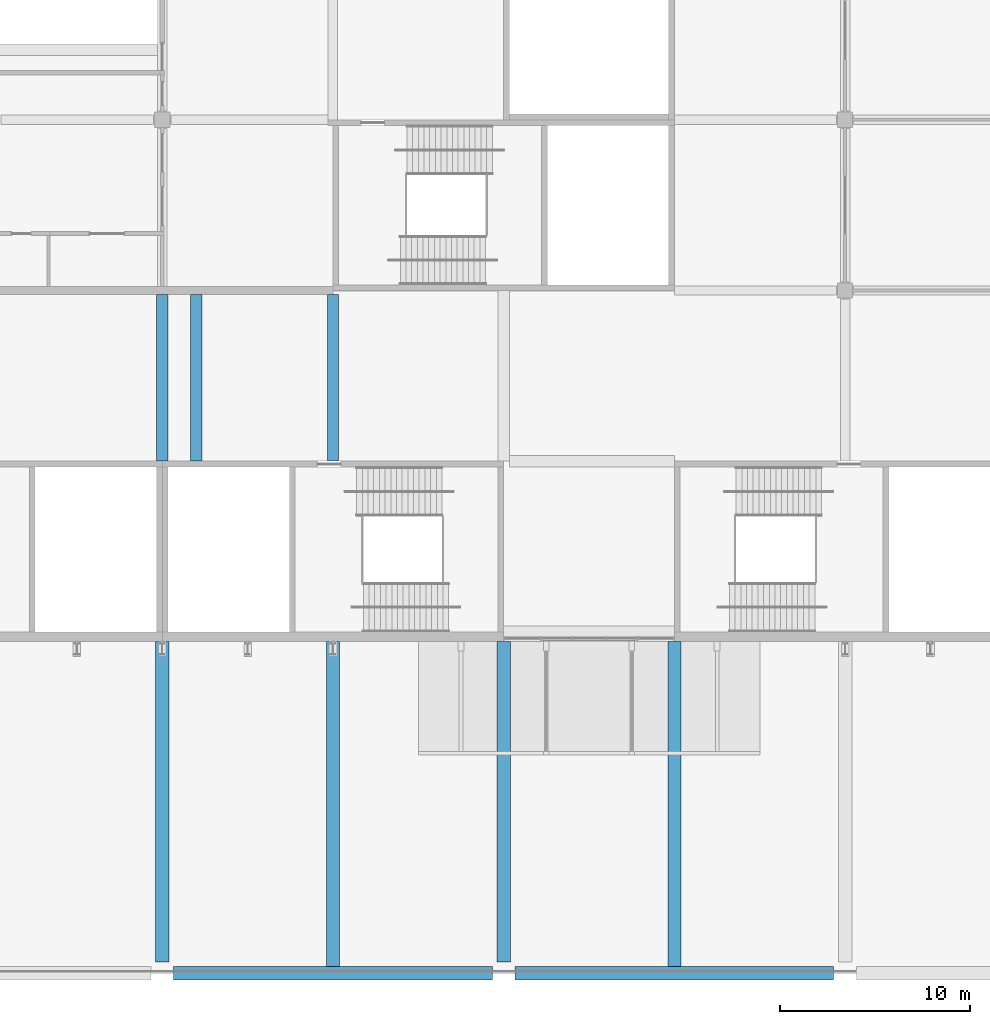
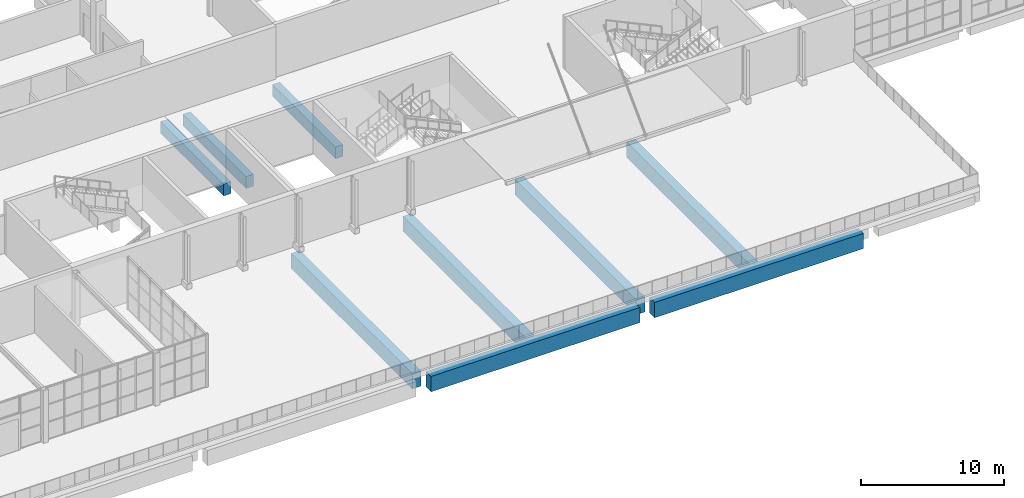
# One storey, part 46 of 168: 9 beams.
"""IFC4 building model written with IfcOpenShell, lengths in metres."""

import ifcopenshell
import ifcopenshell.guid

model = None  # the IFC model being written
_history = None  # IfcOwnerHistory: only IFC2X3 demands one
_inside = {}  # id of a spatial element -> (the spatial element, [elements in it])
_under = {}  # id of a project, library or spatial element -> (it, [spatial elements below it])
_declared = {}  # id of a project -> (the project, [libraries it declares])
_typed = {}  # id of a type object -> (the type object, [elements of that type])
_made_of = {}  # id of a material, layer set ... -> (it, [elements and type objects made of it])


def new_model(schema):
    """Start an empty IFC model of exactly this schema.

    Asked for "IFC4X3", IfcOpenShell would pick the latest addendum, in which some entities
    have other attributes; the version numbers below select the first issue.
    IFC2X3 requires an IfcOwnerHistory on every rooted entity: one is made here for all.
    """
    global model, _history
    if schema == "IFC4X3":
        model = ifcopenshell.file(schema_version=(4, 3, 0, 0))
    else:
        model = ifcopenshell.file(schema=schema)
    _inside.clear()
    _under.clear()
    _declared.clear()
    _typed.clear()
    _made_of.clear()
    _history = None
    if model.schema == "IFC2X3":
        org = make("IfcOrganization", Name="unknown")
        user = make(
            "IfcPersonAndOrganization",
            ThePerson=make("IfcPerson", FamilyName="unknown"),
            TheOrganization=org,
        )
        app = make(
            "IfcApplication",
            ApplicationDeveloper=org,
            Version="unknown",
            ApplicationFullName="unknown",
            ApplicationIdentifier="unknown",
        )
        _history = make(
            "IfcOwnerHistory",
            OwningUser=user,
            OwningApplication=app,
            ChangeAction="ADDED",
            CreationDate=0,
        )
    return model


def make(cls, **values):
    """One entity of the class cls with the attributes given. An attribute that is None is left unset."""
    return model.create_entity(
        cls, **{name: value for name, value in values.items() if value is not None}
    )


def rooted(cls, **values):
    """An entity with a GlobalId (a new one), such as an element, a storey or a relation."""
    return make(cls, GlobalId=ifcopenshell.guid.new(), OwnerHistory=_history, **values)


def si_unit(unit_type, name, prefix=None):
    """IfcSIUnit, for example si_unit("LENGTHUNIT", "METRE", prefix="MILLI")."""
    return make("IfcSIUnit", UnitType=unit_type, Prefix=prefix, Name=name)


def assignment(units):
    """IfcUnitAssignment: the units of a project."""
    return None if units is None else make("IfcUnitAssignment", Units=units)


def point(xyz):
    """IfcCartesianPoint."""
    return None if xyz is None else make("IfcCartesianPoint", Coordinates=xyz)


def direction(xyz):
    """IfcDirection."""
    return None if xyz is None else make("IfcDirection", DirectionRatios=xyz)


def frame(location, z_axis=None, x_axis=None):
    """IfcAxis2Placement3D, a coordinate frame: its origin and axes. An axis left out is left unset."""
    return make(
        "IfcAxis2Placement3D",
        Location=point(location),
        Axis=direction(z_axis),
        RefDirection=direction(x_axis),
    )


def frame_2d(location, x_axis=None):
    """IfcAxis2Placement2D, a coordinate frame in the plane: its origin and x axis."""
    return make(
        "IfcAxis2Placement2D", Location=point(location), RefDirection=direction(x_axis)
    )


def origin():
    """The frame at (0, 0, 0) with its axes left unset."""
    return frame((0.0, 0.0, 0.0))


def origin_2d():
    """The frame at (0, 0) in the plane with its x axis left unset."""
    return frame_2d((0.0, 0.0))


def place(relative_to, where):
    """IfcLocalPlacement: puts the frame where relative to a parent placement (None: the world)."""
    return make(
        "IfcLocalPlacement", PlacementRelTo=relative_to, RelativePlacement=where
    )


def context(
    kind, dimensions, precision=None, world=None, true_north=None, identifier=None
):
    """IfcGeometricRepresentationContext, for example the 3D "Model" context."""
    return make(
        "IfcGeometricRepresentationContext",
        ContextIdentifier=identifier,
        ContextType=kind,
        CoordinateSpaceDimension=dimensions,
        Precision=precision,
        WorldCoordinateSystem=world,
        TrueNorth=true_north,
    )


def subcontext(parent, identifier, kind, view, scale=None):
    """IfcGeometricRepresentationSubContext, for example "Body" below "Model"."""
    return make(
        "IfcGeometricRepresentationSubContext",
        ContextIdentifier=identifier,
        ContextType=kind,
        ParentContext=parent,
        TargetScale=scale,
        TargetView=view,
    )


def project(units=None, contexts=None):
    """IfcProject with its units and contexts."""
    return rooted(
        "IfcProject",
        Name="project",
        RepresentationContexts=contexts,
        UnitsInContext=assignment(units),
    )


def spatial(cls, under=None, at=None, **own):
    """A site, building, storey or space (cls), placed at a placement, below another one or the project."""
    s = rooted(cls, ObjectPlacement=at, **own)
    if under is not None:
        _under.setdefault(under.id(), (under, []))[1].append(s)
    return s


def profile(cls, at=None, kind="AREA", **sizes):
    """A parametric profile (cls). Its sizes go by their IFC names, for example OverallWidth=200.0."""
    return make(cls, ProfileType=kind, Position=at, **sizes)


def rectangle(**sizes):
    """IfcRectangleProfileDef."""
    return profile("IfcRectangleProfileDef", **sizes)


def extrude(swept, where, along, depth):
    """IfcExtrudedAreaSolid: the profile swept, set in the frame where, extruded along a direction by depth."""
    return make(
        "IfcExtrudedAreaSolid",
        SweptArea=swept,
        Position=where,
        ExtrudedDirection=direction(along),
        Depth=depth,
    )


def shape(context_of_items, identifier, shape_type, items):
    """IfcShapeRepresentation: the items that make up one representation, for example the "Body"."""
    return make(
        "IfcShapeRepresentation",
        ContextOfItems=context_of_items,
        RepresentationIdentifier=identifier,
        RepresentationType=shape_type,
        Items=items,
    )


def material(Name=None, Category=None):
    """IfcMaterial."""
    return make("IfcMaterial", Name=Name, Category=Category)


def material_profile(
    of_material, cross_section, Name=None, Category=None, Priority=None
):
    """IfcMaterialProfile: a cross section and its material."""
    return make(
        "IfcMaterialProfile",
        Name=Name,
        Material=of_material,
        Profile=cross_section,
        Priority=Priority,
        Category=Category,
    )


def profile_set(profiles, Name=None, composite=None):
    """IfcMaterialProfileSet."""
    return make(
        "IfcMaterialProfileSet",
        Name=Name,
        MaterialProfiles=profiles,
        CompositeProfile=composite,
    )


def made_of(thing, what):
    """Note that an element or type object is made of a material, layer set ...; save() writes the relation."""
    if what is not None:
        _made_of.setdefault(what.id(), (what, []))[1].append(thing)
    return thing


def type_object(cls, material=None, **own):
    """A type object (cls), such as IfcWallType, which elements share."""
    return made_of(rooted(cls, **own), material)


def element(
    cls,
    number,
    at=None,
    inside=None,
    cuts=None,
    type_object=None,
    material=None,
    context=None,
    identifier="Body",
    shape_type=None,
    held_by="IfcProductDefinitionShape",
    body=None,
    shapes=None,
    **own,
):
    """One element of the class cls, such as IfcWall. Its Tag is "e" and its number.

    at: its placement. inside: the storey or other place that contains it. cuts: it is an
    opening in that element (IfcRelVoidsElement). A single representation is given by context,
    identifier, shape_type and body (its items); several are given by shapes. held_by: the class
    of the entity that holds the representations. save() writes the other relations.
    """
    e = rooted(cls, Tag="e%d" % number, ObjectPlacement=at, **own)
    if body is not None:
        shapes = [shape(context, identifier, shape_type, body)]
    if shapes is not None:
        e.Representation = make(held_by, Representations=shapes)
    if inside is not None:
        _inside.setdefault(inside.id(), (inside, []))[1].append(e)
    if cuts is not None:
        rooted(
            "IfcRelVoidsElement", RelatingBuildingElement=cuts, RelatedOpeningElement=e
        )
    if type_object is not None:
        _typed.setdefault(type_object.id(), (type_object, []))[1].append(e)
    return made_of(e, material)


def aggregate(whole, parts):
    """IfcRelAggregates: a whole, such as a stair, and the parts it consists of."""
    return rooted("IfcRelAggregates", RelatingObject=whole, RelatedObjects=parts)


def save(model, path):
    """Write the relations noted so far, then the file.

    IfcRelAggregates (storeys below a building ...), IfcRelContainedInSpatialStructure (elements
    in a storey), IfcRelDefinesByType, IfcRelAssociatesMaterial and IfcRelDeclares: one each for
    every whole, place, type object, material and project.
    """
    for whole, parts in _under.values():
        aggregate(whole, parts)
    for where, things in _inside.values():
        rooted(
            "IfcRelContainedInSpatialStructure",
            RelatedElements=things,
            RelatingStructure=where,
        )
    for kind, things in _typed.values():
        rooted("IfcRelDefinesByType", RelatedObjects=things, RelatingType=kind)
    for what, things in _made_of.values():
        rooted("IfcRelAssociatesMaterial", RelatedObjects=things, RelatingMaterial=what)
    for by, libraries in _declared.values():
        rooted("IfcRelDeclares", RelatingContext=by, RelatedDefinitions=libraries)
    model.write(path)


model = new_model("IFC4")

# Units and contexts
model_context = context("Model", 3, precision=1e-05, world=origin(), true_north=direction((0.0, 1.0)))
body_context = subcontext(model_context, "Body", "Model", "MODEL_VIEW")
ifc_project = project(units=[si_unit("LENGTHUNIT", "METRE"), si_unit("AREAUNIT", "SQUARE_METRE"), si_unit("VOLUMEUNIT", "CUBIC_METRE"), si_unit("PLANEANGLEUNIT", "RADIAN"), si_unit("MASSUNIT", "GRAM", prefix="KILO")], contexts=[model_context])

# Site, building, storey
site_placement = place(None, origin())
site = spatial("IfcSite", under=ifc_project, at=site_placement, CompositionType="ELEMENT")
building_placement = place(site_placement, origin())
building = spatial("IfcBuilding", under=site, at=building_placement, Name="Silverbay Arena", CompositionType="ELEMENT")
storey_placement = place(building_placement, frame((0.0, 0.0, 7.0)))
storey = spatial("IfcBuildingStorey", under=building, at=storey_placement, Name="L01", CompositionType="ELEMENT", Elevation=7.0)

# Beams
ifc_material_1 = material(Name="Concrete Grade C45", Category="concrete")
ifc_material_profile_1 = material_profile(ifc_material_1, rectangle(XDim=0.60009765625, YDim=1.0, at=origin_2d()), Name="RC 600x1000")
ifc_profile_set_1 = profile_set([ifc_material_profile_1], Name="Concrete Grade C45")
beam_type_1 = type_object("IfcBeamType", Name="RC beam 600x1000", PredefinedType="BEAM", material=ifc_profile_set_1)
for number, where, z_axis, x_axis, name in (
    (1, (162.0, 27.0, -0.85009765625), (0.0, 1.0, 0.0), (-1.0, 0.0, 0.0), "Floor beam L01 293"),
    (2, (163.800048828125, 27.0, -0.85009765625), (0.0, 1.0, 0.0), (-1.0, 0.0, 0.0), "Floor beam L01 301"),
    (3, (171.0, 27.0, -0.85009765625), (0.0, 1.0, 0.0), (-1.0, 0.0, 0.0), "Floor beam L01 303"),
):
    element("IfcBeam", number, at=place(storey_placement, frame(where, z_axis=z_axis, x_axis=x_axis)), inside=storey, type_object=beam_type_1, Name=name, PredefinedType="BEAM", context=body_context, shape_type="SweptSolid", body=[
        extrude(rectangle(XDim=0.60009765625, YDim=1.0, at=origin_2d()), origin(), (0.0, 0.0, 1.0), 8.800048828125),
    ])
ifc_material_2 = material(Name="Concrete Grade C45", Category="concrete")
ifc_material_profile_2 = material_profile(ifc_material_2, rectangle(XDim=0.699951171875, YDim=1.300048828125, at=origin_2d()), Name="RC 700x1300")
ifc_profile_set_2 = profile_set([ifc_material_profile_2], Name="Concrete Grade C45")
beam_type_2 = type_object("IfcBeamType", Name="RC girder 700x1300", PredefinedType="BEAM", material=ifc_profile_set_2)
beam_1_placement = place(storey_placement, frame((162.0, 0.60009765625, -1.10009765625), z_axis=(0.0, 1.0, 0.0), x_axis=(-1.0, 0.0, 0.0)))
element("IfcBeam", 4, at=beam_1_placement, inside=storey, type_object=beam_type_2, Name="Deck secondary beam 127", PredefinedType="BEAM", context=body_context, shape_type="SweptSolid", body=[
    extrude(rectangle(XDim=0.699951171875, YDim=1.300048828125, at=origin_2d()), origin(), (0.0, 0.0, 1.0), 16.89990234375),
])
beam_2_placement = place(storey_placement, frame((171.0, 0.35009765625, -1.10009765625), z_axis=(0.0, 1.0, 0.0), x_axis=(-1.0, 0.0, 0.0)))
element("IfcBeam", 5, at=beam_2_placement, inside=storey, type_object=beam_type_2, Name="Deck secondary beam 129", PredefinedType="BEAM", context=body_context, shape_type="SweptSolid", body=[
    extrude(rectangle(XDim=0.699951171875, YDim=1.300048828125, at=origin_2d()), origin(), (0.0, 0.0, 1.0), 17.14990234375),
])
beam_3_placement = place(storey_placement, frame((180.0, 0.60009765625, -1.10009765625), z_axis=(0.0, 1.0, 0.0), x_axis=(-1.0, 0.0, 0.0)))
element("IfcBeam", 6, at=beam_3_placement, inside=storey, type_object=beam_type_2, Name="Deck secondary beam 131", PredefinedType="BEAM", context=body_context, shape_type="SweptSolid", body=[
    extrude(rectangle(XDim=0.699951171875, YDim=1.300048828125, at=origin_2d()), origin(), (0.0, 0.0, 1.0), 16.89990234375),
])
beam_4_placement = place(storey_placement, frame((189.0, 0.35009765625, -1.10009765625), z_axis=(0.0, 1.0, 0.0), x_axis=(-1.0, 0.0, 0.0)))
element("IfcBeam", 7, at=beam_4_placement, inside=storey, type_object=beam_type_2, Name="Deck secondary beam 133", PredefinedType="BEAM", context=body_context, shape_type="SweptSolid", body=[
    extrude(rectangle(XDim=0.699951171875, YDim=1.300048828125, at=origin_2d()), origin(), (0.0, 0.0, 1.0), 17.14990234375),
])
for number, where, z_axis, x_axis, name in (
    (8, (162.60009765625, 0.0, -1.10009765625), (1.0, 0.0, 0.0), (0.0, 1.0, 0.0), "Deck girder 139"),
    (9, (180.60009765625, 0.0, -1.10009765625), (1.0, 0.0, 0.0), (0.0, 1.0, 0.0), "Deck girder 139"),
):
    element("IfcBeam", number, at=place(storey_placement, frame(where, z_axis=z_axis, x_axis=x_axis)), inside=storey, type_object=beam_type_2, Name=name, PredefinedType="BEAM", context=body_context, shape_type="SweptSolid", body=[
        extrude(rectangle(XDim=0.699951171875, YDim=1.300048828125, at=origin_2d()), origin(), (0.0, 0.0, 1.0), 16.7998046875),
    ])

save(model, "model.ifc")
